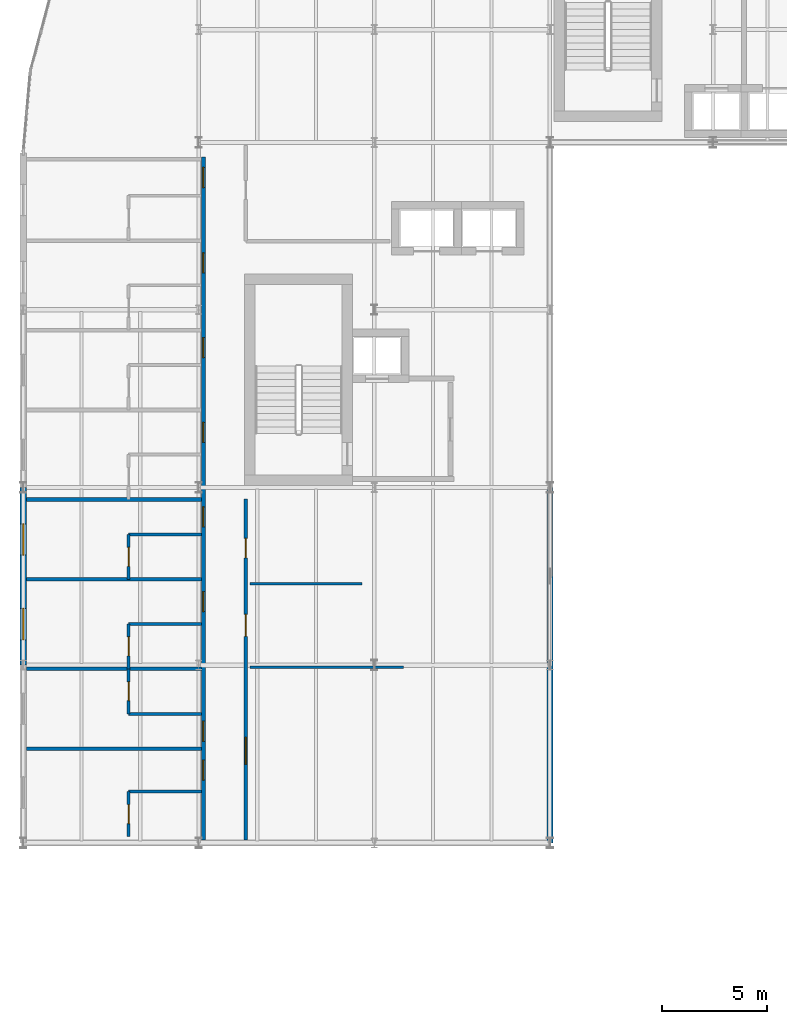
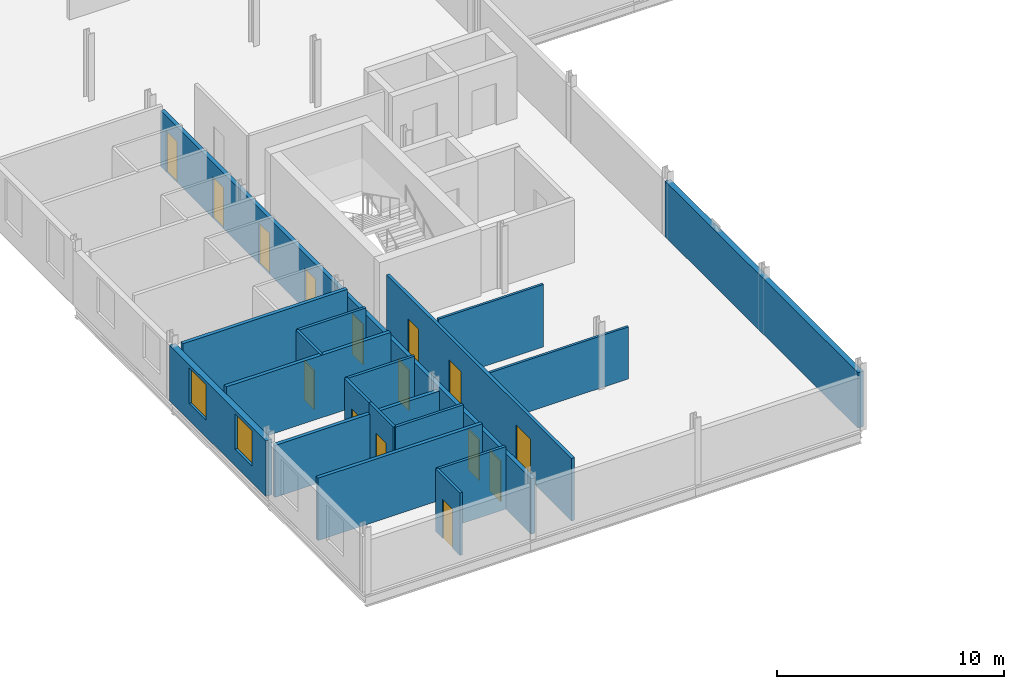
# One storey, part 18 of 34: 18 walls, 15 doors, 2 windows, 17 openings.
"""IFC4 building model written with IfcOpenShell, lengths in metres."""

from ifc_helpers import new_model, si_unit, direction, frame, frame_2d, origin, place, context, subcontext, project, spatial, rectangle, extrude, material, layer, layer_set, type_object, element, fill, save


model = new_model("IFC4")

# Units and contexts
model_context = context("Model", 3, precision=1e-05, world=origin(), true_north=direction((0.0, 1.0)))
body_context = subcontext(model_context, "Body", "Model", "MODEL_VIEW")
ifc_project = project(units=[si_unit("LENGTHUNIT", "METRE"), si_unit("AREAUNIT", "SQUARE_METRE"), si_unit("VOLUMEUNIT", "CUBIC_METRE"), si_unit("PLANEANGLEUNIT", "RADIAN"), si_unit("MASSUNIT", "GRAM", prefix="KILO")], contexts=[model_context])

# Site, building, storey
site_placement = place(None, origin())
site = spatial("IfcSite", under=ifc_project, at=site_placement, CompositionType="ELEMENT")
building_placement = place(site_placement, origin())
building = spatial("IfcBuilding", under=site, at=building_placement, Name="Sefraquen Railside Congress Hotel", CompositionType="ELEMENT")
storey_placement = place(building_placement, frame((0.0, 0.0, 31.800048828125)))
storey = spatial("IfcBuildingStorey", under=building, at=storey_placement, Name="L07", CompositionType="ELEMENT", Elevation=31.800048828125)

# Wall
ifc_material_1 = material(Name="Ochre Rabat calcarenite limestone and Concrete C40/50 backing", Category="masonry")
ifc_layer_1 = layer(ifc_material_1, 0.280029296875)
ifc_layer_set_1 = layer_set([ifc_layer_1], Name="Ochre Rabat calcarenite limestone and Concrete C40/50 backing")
wall_type_1 = type_object("IfcWallType", Name="TW-EW-280", PredefinedType="STANDARD", material=ifc_layer_set_1)
wall_1_placement = place(storey_placement, frame((25.199951171875, 62.5, 0.0), z_axis=(0.0, 0.0, 1.0), x_axis=(0.0, 1.0, 0.0)))
element("IfcWall", 1, at=wall_1_placement, inside=storey, type_object=wall_type_1, Name="Hotel L07 courtyard return wall", PredefinedType="STANDARD", context=body_context, shape_type="SweptSolid", body=[
    extrude(rectangle(XDim=17.0, YDim=0.280029296875, at=frame_2d((8.5, 0.0))), origin(), (0.0, 0.0, 1.0), 2.989990234375),
])

# Wall, openings, windows
ifc_layer_2 = layer(ifc_material_1, 0.300048828125)
ifc_layer_set_2 = layer_set([ifc_layer_2], Name="Ochre Rabat calcarenite limestone and Concrete C40/50 backing")
wall_type_2 = type_object("IfcWallType", Name="TW-EW-300", PredefinedType="STANDARD", material=ifc_layer_set_2)
wall_2_placement = place(storey_placement, frame((0.0, 71.0, 0.0), z_axis=(0.0, 0.0, 1.0), x_axis=(0.0, 1.0, 0.0)))
wall_2 = element("IfcWall", 2, at=wall_2_placement, inside=storey, type_object=wall_type_2, Name="Hotel L07 West Forecourt facade wall", PredefinedType="STANDARD", context=body_context, shape_type="SweptSolid", body=[
    extrude(rectangle(XDim=8.5, YDim=0.300048828125, at=frame_2d((4.25, 0.0))), origin(), (0.0, 0.0, 1.0), 2.989990234375),
])
opening_1_placement = place(wall_2_placement, frame((1.212890625, 0.0, 0.89990234375)))
opening_1 = element("IfcOpeningElement", 3, at=opening_1_placement, cuts=wall_2, Name="Opening WN-13", PredefinedType="OPENING", context=body_context, shape_type="SweptSolid", body=[
    extrude(rectangle(XDim=1.5, YDim=1.909912109375, at=frame_2d((0.75, 0.955078125))), frame((0.0, 0.159912109375, 0.0), z_axis=(0.0, -1.0, 0.0), x_axis=(1.0, 0.0, 0.0)), (0.0, 0.0, 1.0), 0.320068359375),
])
opening_2_placement = place(wall_2_placement, frame((5.262939453125, 0.0, 0.89990234375)))
opening_2 = element("IfcOpeningElement", 4, at=opening_2_placement, cuts=wall_2, Name="Opening WN-14", PredefinedType="OPENING", context=body_context, shape_type="SweptSolid", body=[
    extrude(rectangle(XDim=1.5, YDim=1.909912109375, at=frame_2d((0.75, 0.955078125))), frame((0.0, 0.159912109375, 0.0), z_axis=(0.0, -1.0, 0.0), x_axis=(1.0, 0.0, 0.0)), (0.0, 0.0, 1.0), 0.320068359375),
])
ifc_material_2 = material(Name="Solar-control low-E double glazing in bronze-anodised frame", Category="glass")
window_type_1 = type_object("IfcWindowType", Name="TWN-W-13", PartitioningType="DOUBLE_PANEL_VERTICAL", PredefinedType="WINDOW", material=ifc_material_2)
window_1_placement = place(opening_1_placement, origin())
window_1 = element("IfcWindow", 5, at=window_1_placement, inside=storey, type_object=window_type_1, Name="Guest room west window SP-L07-RM-039", OverallHeight=1.909912109375, OverallWidth=1.5, PartitioningType="DOUBLE_PANEL_VERTICAL", PredefinedType="WINDOW", context=body_context, shape_type="SweptSolid", body=[
    extrude(rectangle(XDim=1.5, YDim=1.909912109375, at=frame_2d((0.75, 0.955078125))), frame((0.0, 0.030029296875, 0.0), z_axis=(0.0, -1.0, 0.0), x_axis=(1.0, 0.0, 0.0)), (0.0, 0.0, 1.0), 0.06005859375),
])
fill(opening_1, window_1)
window_type_2 = type_object("IfcWindowType", Name="TWN-W-14", PartitioningType="DOUBLE_PANEL_VERTICAL", PredefinedType="WINDOW", material=ifc_material_2)
window_2_placement = place(opening_2_placement, origin())
window_2 = element("IfcWindow", 6, at=window_2_placement, inside=storey, type_object=window_type_2, Name="Guest room west window SP-L07-RM-040", OverallHeight=1.909912109375, OverallWidth=1.5, PartitioningType="DOUBLE_PANEL_VERTICAL", PredefinedType="WINDOW", context=body_context, shape_type="SweptSolid", body=[
    extrude(rectangle(XDim=1.5, YDim=1.909912109375, at=frame_2d((0.75, 0.955078125))), frame((0.0, 0.030029296875, 0.0), z_axis=(0.0, -1.0, 0.0), x_axis=(1.0, 0.0, 0.0)), (0.0, 0.0, 1.0), 0.06005859375),
])
fill(opening_2, window_2)

# Walls
ifc_material_3 = material(Name="Gypsum board on metal stud", Category="gypsum")
ifc_layer_3 = layer(ifc_material_3, 0.1201171875)
ifc_layer_set_3 = layer_set([ifc_layer_3], Name="Gypsum board on metal stud")
wall_type_3 = type_object("IfcWallType", Name="TW-PW-120", PredefinedType="PARTITIONING", material=ifc_layer_set_3)
wall_3_placement = place(storey_placement, frame((10.85009765625, 70.89990234375, 0.0), z_axis=(0.0, 0.0, 1.0), x_axis=(1.0, 0.0, 0.0)))
element("IfcWall", 7, at=wall_3_placement, inside=storey, type_object=wall_type_3, Name="Lounge-pantry divider L07", PredefinedType="PARTITIONING", context=body_context, shape_type="SweptSolid", body=[
    extrude(rectangle(XDim=7.349853515625, YDim=0.1201171875, at=frame_2d((3.6748046875, 0.0))), origin(), (0.0, 0.0, 1.0), 2.800048828125),
])
wall_4_placement = place(storey_placement, frame((10.85009765625, 74.89990234375, 0.0), z_axis=(0.0, 0.0, 1.0), x_axis=(1.0, 0.0, 0.0)))
element("IfcWall", 8, at=wall_4_placement, inside=storey, type_object=wall_type_3, Name="Pantry-WC divider L07", PredefinedType="PARTITIONING", context=body_context, shape_type="SweptSolid", body=[
    extrude(rectangle(XDim=5.349853515625, YDim=0.1201171875, at=frame_2d((2.6748046875, 0.0))), origin(), (0.0, 0.0, 1.0), 3.35986328125),
])
ifc_material_4 = material(Name="Moisture-resistant gypsum board", Category="gypsum")
ifc_layer_4 = layer(ifc_material_4, 0.139892578125)
ifc_layer_set_4 = layer_set([ifc_layer_4], Name="Moisture-resistant gypsum board")
wall_type_4 = type_object("IfcWallType", Name="TW-PW-140", PredefinedType="PARTITIONING", material=ifc_layer_set_4)
wall_5_placement = place(storey_placement, frame((5.050048828125, 64.949951171875, 0.0), z_axis=(0.0, 0.0, 1.0), x_axis=(1.0, 0.0, 0.0)))
element("IfcWall", 9, at=wall_5_placement, inside=storey, type_object=wall_type_4, Name="West en-suite bathroom north wall RM-037", PredefinedType="PARTITIONING", context=body_context, shape_type="SweptSolid", body=[
    extrude(rectangle(XDim=3.469970703125, YDim=0.139892578125, at=frame_2d((1.73486328125, 0.0))), origin(), (0.0, 0.0, 1.0), 3.35986328125),
])

# Wall, opening, door
wall_6_placement = place(storey_placement, frame((5.050048828125, 62.800048828125, 0.0), z_axis=(0.0, 0.0, 1.0), x_axis=(0.0, 1.0, 0.0)))
wall_6 = element("IfcWall", 10, at=wall_6_placement, inside=storey, type_object=wall_type_4, Name="West en-suite bathroom west wall RM-037", PredefinedType="PARTITIONING", context=body_context, shape_type="SweptSolid", body=[
    extrude(rectangle(XDim=2.14990234375, YDim=0.139892578125, at=frame_2d((1.074951171875, 0.0))), origin(), (0.0, 0.0, 1.0), 3.35986328125),
])
opening_3_placement = place(wall_6_placement, frame((0.625, 0.0, 0.0)))
opening_3 = element("IfcOpeningElement", 11, at=opening_3_placement, cuts=wall_6, Name="Opening ID-02", PredefinedType="OPENING", context=body_context, shape_type="SweptSolid", body=[
    extrude(rectangle(XDim=0.89990234375, YDim=2.10009765625, at=frame_2d((0.449951171875, 1.050048828125))), frame((0.0, 0.079833984375, 0.0), z_axis=(0.0, -1.0, 0.0), x_axis=(1.0, 0.0, 0.0)), (0.0, 0.0, 1.0), 0.159912109375),
])
ifc_material_5 = material(Name="Lacquered cedar joinery", Category="wood")
door_type_1 = type_object("IfcDoorType", Name="TD-ID-02", OperationType="NOTDEFINED", PredefinedType="DOOR", material=ifc_material_5)
door_1_placement = place(opening_3_placement, frame((0.89990234375, 0.0, 0.0), z_axis=(0.0, 0.0, 1.0), x_axis=(-1.0, 0.0, 0.0)))
door_1 = element("IfcDoor", 12, at=door_1_placement, inside=storey, type_object=door_type_1, Name="En-suite bathroom door RM-037", OperationType="SINGLE_SWING_LEFT", OverallHeight=2.10009765625, OverallWidth=0.89990234375, PredefinedType="DOOR", context=body_context, shape_type="SweptSolid", body=[
    extrude(rectangle(XDim=0.89990234375, YDim=2.10009765625, at=frame_2d((0.449951171875, 1.050048828125))), frame((0.0, 0.02490234375, 0.0), z_axis=(0.0, -1.0, 0.0), x_axis=(1.0, 0.0, 0.0)), (0.0, 0.0, 1.0), 0.050048828125),
])
fill(opening_3, door_1)

# Wall
wall_7_placement = place(storey_placement, frame((5.050048828125, 68.673095703125, 0.0), z_axis=(0.0, 0.0, 1.0), x_axis=(1.0, 0.0, 0.0)))
element("IfcWall", 13, at=wall_7_placement, inside=storey, type_object=wall_type_4, Name="West en-suite bathroom south wall RM-038", PredefinedType="PARTITIONING", context=body_context, shape_type="SweptSolid", body=[
    extrude(rectangle(XDim=3.469970703125, YDim=0.139892578125, at=frame_2d((1.73486328125, 0.0))), origin(), (0.0, 0.0, 1.0), 3.35986328125),
])

# Wall, opening, door
wall_8_placement = place(storey_placement, frame((5.050048828125, 68.673095703125, 0.0), z_axis=(0.0, 0.0, 1.0), x_axis=(0.0, 1.0, 0.0)))
wall_8 = element("IfcWall", 14, at=wall_8_placement, inside=storey, type_object=wall_type_4, Name="West en-suite bathroom west wall RM-038", PredefinedType="PARTITIONING", context=body_context, shape_type="SweptSolid", body=[
    extrude(rectangle(XDim=2.14990234375, YDim=0.139892578125, at=frame_2d((1.074951171875, 0.0))), origin(), (0.0, 0.0, 1.0), 3.35986328125),
])
opening_4_placement = place(wall_8_placement, frame((0.625, 0.0, 0.0)))
opening_4 = element("IfcOpeningElement", 15, at=opening_4_placement, cuts=wall_8, Name="Opening ID-02", PredefinedType="OPENING", context=body_context, shape_type="SweptSolid", body=[
    extrude(rectangle(XDim=0.89990234375, YDim=2.10009765625, at=frame_2d((0.449951171875, 1.050048828125))), frame((0.0, 0.079833984375, 0.0), z_axis=(0.0, -1.0, 0.0), x_axis=(1.0, 0.0, 0.0)), (0.0, 0.0, 1.0), 0.159912109375),
])
door_2_placement = place(opening_4_placement, frame((0.89990234375, 0.0, 0.0), z_axis=(0.0, 0.0, 1.0), x_axis=(-1.0, 0.0, 0.0)))
door_2 = element("IfcDoor", 16, at=door_2_placement, inside=storey, type_object=door_type_1, Name="En-suite bathroom door RM-038", OperationType="SINGLE_SWING_LEFT", OverallHeight=2.10009765625, OverallWidth=0.89990234375, PredefinedType="DOOR", context=body_context, shape_type="SweptSolid", body=[
    extrude(rectangle(XDim=0.89990234375, YDim=2.10009765625, at=frame_2d((0.449951171875, 1.050048828125))), frame((0.0, 0.02490234375, 0.0), z_axis=(0.0, -1.0, 0.0), x_axis=(1.0, 0.0, 0.0)), (0.0, 0.0, 1.0), 0.050048828125),
])
fill(opening_4, door_2)

# Wall
wall_9_placement = place(storey_placement, frame((5.050048828125, 72.972900390625, 0.0), z_axis=(0.0, 0.0, 1.0), x_axis=(1.0, 0.0, 0.0)))
element("IfcWall", 17, at=wall_9_placement, inside=storey, type_object=wall_type_4, Name="West en-suite bathroom north wall RM-039", PredefinedType="PARTITIONING", context=body_context, shape_type="SweptSolid", body=[
    extrude(rectangle(XDim=3.469970703125, YDim=0.139892578125, at=frame_2d((1.73486328125, 0.0))), origin(), (0.0, 0.0, 1.0), 3.35986328125),
])

# Wall, opening, door
wall_10_placement = place(storey_placement, frame((5.050048828125, 70.822998046875, 0.0), z_axis=(0.0, 0.0, 1.0), x_axis=(0.0, 1.0, 0.0)))
wall_10 = element("IfcWall", 18, at=wall_10_placement, inside=storey, type_object=wall_type_4, Name="West en-suite bathroom west wall RM-039", PredefinedType="PARTITIONING", context=body_context, shape_type="SweptSolid", body=[
    extrude(rectangle(XDim=2.14990234375, YDim=0.139892578125, at=frame_2d((1.074951171875, 0.0))), origin(), (0.0, 0.0, 1.0), 3.35986328125),
])
opening_5_placement = place(wall_10_placement, frame((0.625, 0.0, 0.0)))
opening_5 = element("IfcOpeningElement", 19, at=opening_5_placement, cuts=wall_10, Name="Opening ID-02", PredefinedType="OPENING", context=body_context, shape_type="SweptSolid", body=[
    extrude(rectangle(XDim=0.89990234375, YDim=2.10009765625, at=frame_2d((0.449951171875, 1.050048828125))), frame((0.0, 0.079833984375, 0.0), z_axis=(0.0, -1.0, 0.0), x_axis=(1.0, 0.0, 0.0)), (0.0, 0.0, 1.0), 0.159912109375),
])
door_3_placement = place(opening_5_placement, frame((0.89990234375, 0.0, 0.0), z_axis=(0.0, 0.0, 1.0), x_axis=(-1.0, 0.0, 0.0)))
door_3 = element("IfcDoor", 20, at=door_3_placement, inside=storey, type_object=door_type_1, Name="En-suite bathroom door RM-039", OperationType="SINGLE_SWING_LEFT", OverallHeight=2.10009765625, OverallWidth=0.89990234375, PredefinedType="DOOR", context=body_context, shape_type="SweptSolid", body=[
    extrude(rectangle(XDim=0.89990234375, YDim=2.10009765625, at=frame_2d((0.449951171875, 1.050048828125))), frame((0.0, 0.02490234375, 0.0), z_axis=(0.0, -1.0, 0.0), x_axis=(1.0, 0.0, 0.0)), (0.0, 0.0, 1.0), 0.050048828125),
])
fill(opening_5, door_3)

# Wall
wall_11_placement = place(storey_placement, frame((5.050048828125, 77.25390625, 0.0), z_axis=(0.0, 0.0, 1.0), x_axis=(1.0, 0.0, 0.0)))
element("IfcWall", 21, at=wall_11_placement, inside=storey, type_object=wall_type_4, Name="West en-suite bathroom north wall RM-040", PredefinedType="PARTITIONING", context=body_context, shape_type="SweptSolid", body=[
    extrude(rectangle(XDim=3.469970703125, YDim=0.139892578125, at=frame_2d((1.73486328125, 0.0))), origin(), (0.0, 0.0, 1.0), 3.35986328125),
])

# Wall, opening, door
wall_12_placement = place(storey_placement, frame((5.050048828125, 75.10400390625, 0.0), z_axis=(0.0, 0.0, 1.0), x_axis=(0.0, 1.0, 0.0)))
wall_12 = element("IfcWall", 22, at=wall_12_placement, inside=storey, type_object=wall_type_4, Name="West en-suite bathroom west wall RM-040", PredefinedType="PARTITIONING", context=body_context, shape_type="SweptSolid", body=[
    extrude(rectangle(XDim=2.14990234375, YDim=0.139892578125, at=frame_2d((1.074951171875, 0.0))), origin(), (0.0, 0.0, 1.0), 3.35986328125),
])
opening_6_placement = place(wall_12_placement, frame((0.625, 0.0, 0.0)))
opening_6 = element("IfcOpeningElement", 23, at=opening_6_placement, cuts=wall_12, Name="Opening ID-02", PredefinedType="OPENING", context=body_context, shape_type="SweptSolid", body=[
    extrude(rectangle(XDim=0.89990234375, YDim=2.10009765625, at=frame_2d((0.449951171875, 1.050048828125))), frame((0.0, 0.079833984375, 0.0), z_axis=(0.0, -1.0, 0.0), x_axis=(1.0, 0.0, 0.0)), (0.0, 0.0, 1.0), 0.159912109375),
])
door_4_placement = place(opening_6_placement, frame((0.89990234375, 0.0, 0.0), z_axis=(0.0, 0.0, 1.0), x_axis=(-1.0, 0.0, 0.0)))
door_4 = element("IfcDoor", 24, at=door_4_placement, inside=storey, type_object=door_type_1, Name="En-suite bathroom door RM-040", OperationType="SINGLE_SWING_LEFT", OverallHeight=2.10009765625, OverallWidth=0.89990234375, PredefinedType="DOOR", context=body_context, shape_type="SweptSolid", body=[
    extrude(rectangle(XDim=0.89990234375, YDim=2.10009765625, at=frame_2d((0.449951171875, 1.050048828125))), frame((0.0, 0.02490234375, 0.0), z_axis=(0.0, -1.0, 0.0), x_axis=(1.0, 0.0, 0.0)), (0.0, 0.0, 1.0), 0.050048828125),
])
fill(opening_6, door_4)

# Wall, openings, doors
ifc_layer_5 = layer(ifc_material_4, 0.159912109375)
ifc_layer_set_5 = layer_set([ifc_layer_5], Name="Moisture-resistant gypsum board")
wall_type_5 = type_object("IfcWallType", Name="TW-PW-160", PredefinedType="PARTITIONING", material=ifc_layer_set_5)
wall_13_placement = place(storey_placement, frame((10.64990234375, 62.639892578125, 0.0), z_axis=(0.0, 0.0, 1.0), x_axis=(0.0, 1.0, 0.0)))
wall_13 = element("IfcWall", 25, at=wall_13_placement, inside=storey, type_object=wall_type_5, Name="Hotel L07 west-return corridor E1 partition", PredefinedType="PARTITIONING", context=body_context, shape_type="SweptSolid", body=[
    extrude(rectangle(XDim=16.31005859375, YDim=0.159912109375, at=frame_2d((8.155029296875, 0.0))), origin(), (0.0, 0.0, 1.0), 3.35986328125),
])
opening_7_placement = place(wall_13_placement, frame((3.610107421875, 0.0, 0.0)))
opening_7 = element("IfcOpeningElement", 26, at=opening_7_placement, cuts=wall_13, Name="Opening MD-02", PredefinedType="OPENING", context=body_context, shape_type="SweptSolid", body=[
    extrude(rectangle(XDim=1.300048828125, YDim=2.199951171875, at=frame_2d((0.64990234375, 1.10009765625))), frame((0.0, 0.08984375, 0.0), z_axis=(0.0, -1.0, 0.0), x_axis=(1.0, 0.0, 0.0)), (0.0, 0.0, 1.0), 0.179931640625),
])
opening_8_placement = place(wall_13_placement, frame((9.735107421875, 0.0, 0.0)))
opening_8 = element("IfcOpeningElement", 27, at=opening_8_placement, cuts=wall_13, Name="Opening ID-04", PredefinedType="OPENING", context=body_context, shape_type="SweptSolid", body=[
    extrude(rectangle(XDim=1.050048828125, YDim=2.1201171875, at=frame_2d((0.52490234375, 1.06005859375))), frame((0.0, 0.08984375, 0.0), z_axis=(0.0, -1.0, 0.0), x_axis=(1.0, 0.0, 0.0)), (0.0, 0.0, 1.0), 0.179931640625),
])
opening_9_placement = place(wall_13_placement, frame((13.489990234375, 0.0, 0.0)))
opening_9 = element("IfcOpeningElement", 28, at=opening_9_placement, cuts=wall_13, Name="Opening ID-01", PredefinedType="OPENING", context=body_context, shape_type="SweptSolid", body=[
    extrude(rectangle(XDim=0.93994140625, YDim=2.14990234375, at=frame_2d((0.469970703125, 1.074951171875))), frame((0.0, 0.08984375, 0.0), z_axis=(0.0, -1.0, 0.0), x_axis=(1.0, 0.0, 0.0)), (0.0, 0.0, 1.0), 0.179931640625),
])
door_type_2 = type_object("IfcDoorType", Name="TD-ID-01", OperationType="NOTDEFINED", PredefinedType="DOOR", material=ifc_material_5)
door_5_placement = place(opening_9_placement, origin())
door_5 = element("IfcDoor", 29, at=door_5_placement, inside=storey, type_object=door_type_2, Name="Hotel floor Accessible WC door L07", OperationType="SINGLE_SWING_LEFT", OverallHeight=2.14990234375, OverallWidth=0.93994140625, PredefinedType="DOOR", context=body_context, shape_type="SweptSolid", body=[
    extrude(rectangle(XDim=0.93994140625, YDim=2.14990234375, at=frame_2d((0.469970703125, 1.074951171875))), frame((0.0, 0.02490234375, 0.0), z_axis=(0.0, -1.0, 0.0), x_axis=(1.0, 0.0, 0.0)), (0.0, 0.0, 1.0), 0.050048828125),
])
fill(opening_9, door_5)
ifc_material_6 = material(Name="Painted timber", Category="wood")
door_type_3 = type_object("IfcDoorType", Name="TD-ID-04", OperationType="NOTDEFINED", PredefinedType="DOOR", material=ifc_material_6)
door_6_placement = place(opening_8_placement, origin())
door_6 = element("IfcDoor", 30, at=door_6_placement, inside=storey, type_object=door_type_3, Name="Housekeeping pantry door L07", OperationType="SINGLE_SWING_RIGHT", OverallHeight=2.1201171875, OverallWidth=1.050048828125, PredefinedType="DOOR", context=body_context, shape_type="SweptSolid", body=[
    extrude(rectangle(XDim=1.050048828125, YDim=2.1201171875, at=frame_2d((0.52490234375, 1.06005859375))), frame((0.0, 0.02490234375, 0.0), z_axis=(0.0, -1.0, 0.0), x_axis=(1.0, 0.0, 0.0)), (0.0, 0.0, 1.0), 0.050048828125),
])
fill(opening_8, door_6)
ifc_material_7 = material(Name="Acoustic cedar veneer", Category="wood")
door_type_4 = type_object("IfcDoorType", Name="TD-MD-02", OperationType="NOTDEFINED", PredefinedType="DOOR", material=ifc_material_7)
door_7_placement = place(opening_7_placement, origin())
door_7 = element("IfcDoor", 31, at=door_7_placement, inside=storey, type_object=door_type_4, Name="Floor hospitality salon door L07", OperationType="SINGLE_SWING_LEFT", OverallHeight=2.199951171875, OverallWidth=1.300048828125, PredefinedType="DOOR", context=body_context, shape_type="SweptSolid", body=[
    extrude(rectangle(XDim=1.300048828125, YDim=2.199951171875, at=frame_2d((0.64990234375, 1.10009765625))), frame((0.0, 0.02490234375, 0.0), z_axis=(0.0, -1.0, 0.0), x_axis=(1.0, 0.0, 0.0)), (0.0, 0.0, 1.0), 0.050048828125),
])
fill(opening_7, door_7)

# Walls
ifc_material_8 = material(Name="Acoustic gypsum board on metal stud", Category="gypsum")
ifc_layer_6 = layer(ifc_material_8, 0.179931640625)
ifc_layer_set_6 = layer_set([ifc_layer_6], Name="Acoustic gypsum board on metal stud")
wall_type_6 = type_object("IfcWallType", Name="TW-PW-180", PredefinedType="PARTITIONING", material=ifc_layer_set_6)
wall_14_placement = place(storey_placement, frame((0.14990234375, 67.00390625, 0.0), z_axis=(0.0, 0.0, 1.0), x_axis=(1.0, 0.0, 0.0)))
element("IfcWall", 32, at=wall_14_placement, inside=storey, type_object=wall_type_6, Name="West return guest room demising wall RM-037", PredefinedType="PARTITIONING", context=body_context, shape_type="SweptSolid", body=[
    extrude(rectangle(XDim=8.3701171875, YDim=0.179931640625, at=frame_2d((4.18505859375, 0.0))), origin(), (0.0, 0.0, 1.0), 3.35986328125),
])
wall_15_placement = place(storey_placement, frame((0.14990234375, 70.822998046875, 0.0), z_axis=(0.0, 0.0, 1.0), x_axis=(1.0, 0.0, 0.0)))
element("IfcWall", 33, at=wall_15_placement, inside=storey, type_object=wall_type_6, Name="West return guest room demising wall RM-038", PredefinedType="PARTITIONING", context=body_context, shape_type="SweptSolid", body=[
    extrude(rectangle(XDim=8.3701171875, YDim=0.179931640625, at=frame_2d((4.18505859375, 0.0))), origin(), (0.0, 0.0, 1.0), 2.800048828125),
])
for number, where, z_axis, x_axis, name in (
    (34, (0.14990234375, 75.10400390625, 0.0), (0.0, 0.0, 1.0), (1.0, 0.0, 0.0), "West return guest room demising wall RM-039"),
    (35, (0.14990234375, 78.923095703125, 0.0), (0.0, 0.0, 1.0), (1.0, 0.0, 0.0), "West return guest room demising wall RM-040"),
):
    element("IfcWall", number, at=place(storey_placement, frame(where, z_axis=z_axis, x_axis=x_axis)), inside=storey, type_object=wall_type_6, Name=name, PredefinedType="PARTITIONING", context=body_context, shape_type="SweptSolid", body=[
        extrude(rectangle(XDim=8.3701171875, YDim=0.179931640625, at=frame_2d((4.18505859375, 0.0))), origin(), (0.0, 0.0, 1.0), 3.35986328125),
    ])

# Wall, openings, doors
ifc_layer_7 = layer(ifc_material_8, 0.199951171875)
ifc_layer_set_7 = layer_set([ifc_layer_7], Name="Acoustic gypsum board on metal stud")
wall_type_7 = type_object("IfcWallType", Name="TW-PW-200", PredefinedType="PARTITIONING", material=ifc_layer_set_7)
wall_16_placement = place(storey_placement, frame((8.6201171875, 62.639892578125, 0.0), z_axis=(0.0, 0.0, 1.0), x_axis=(0.0, 1.0, 0.0)))
wall_16 = element("IfcWall", 36, at=wall_16_placement, inside=storey, type_object=wall_type_7, Name="Hotel L07 west-return corridor W partition", PredefinedType="PARTITIONING", context=body_context, shape_type="SweptSolid", body=[
    extrude(rectangle(XDim=32.66015625, YDim=0.199951171875, at=frame_2d((16.330078125, 0.0))), origin(), (0.0, 0.0, 1.0), 2.989990234375),
])
opening_10_placement = place(wall_16_placement, frame((2.85693359375, 0.0, 0.0)))
opening_10 = element("IfcOpeningElement", 37, at=opening_10_placement, cuts=wall_16, Name="Opening GD-02", PredefinedType="OPENING", context=body_context, shape_type="SweptSolid", body=[
    extrude(rectangle(XDim=0.9599609375, YDim=2.199951171875, at=frame_2d((0.47998046875, 1.10009765625))), frame((0.0, 0.10986328125, 0.0), z_axis=(0.0, -1.0, 0.0), x_axis=(1.0, 0.0, 0.0)), (0.0, 0.0, 1.0), 0.219970703125),
])
opening_11_placement = place(wall_16_placement, frame((4.718994140625, 0.0, 0.0)))
opening_11 = element("IfcOpeningElement", 38, at=opening_11_placement, cuts=wall_16, Name="Opening GD-02", PredefinedType="OPENING", context=body_context, shape_type="SweptSolid", body=[
    extrude(rectangle(XDim=0.9599609375, YDim=2.199951171875, at=frame_2d((0.47998046875, 1.10009765625))), frame((0.0, 0.10986328125, 0.0), z_axis=(0.0, -1.0, 0.0), x_axis=(1.0, 0.0, 0.0)), (0.0, 0.0, 1.0), 0.219970703125),
])
opening_12_placement = place(wall_16_placement, frame((10.91796875, 0.0, 0.0)))
opening_12 = element("IfcOpeningElement", 39, at=opening_12_placement, cuts=wall_16, Name="Opening GD-02", PredefinedType="OPENING", context=body_context, shape_type="SweptSolid", body=[
    extrude(rectangle(XDim=0.9599609375, YDim=2.199951171875, at=frame_2d((0.47998046875, 1.10009765625))), frame((0.0, 0.10986328125, 0.0), z_axis=(0.0, -1.0, 0.0), x_axis=(1.0, 0.0, 0.0)), (0.0, 0.0, 1.0), 0.219970703125),
])
opening_13_placement = place(wall_16_placement, frame((14.968994140625, 0.0, 0.0)))
opening_13 = element("IfcOpeningElement", 40, at=opening_13_placement, cuts=wall_16, Name="Opening GD-02", PredefinedType="OPENING", context=body_context, shape_type="SweptSolid", body=[
    extrude(rectangle(XDim=0.9599609375, YDim=2.199951171875, at=frame_2d((0.47998046875, 1.10009765625))), frame((0.0, 0.10986328125, 0.0), z_axis=(0.0, -1.0, 0.0), x_axis=(1.0, 0.0, 0.0)), (0.0, 0.0, 1.0), 0.219970703125),
])
opening_14_placement = place(wall_16_placement, frame((19.01806640625, 0.0, 0.0)))
opening_14 = element("IfcOpeningElement", 41, at=opening_14_placement, cuts=wall_16, Name="Opening GD-02", PredefinedType="OPENING", context=body_context, shape_type="SweptSolid", body=[
    extrude(rectangle(XDim=0.9599609375, YDim=2.199951171875, at=frame_2d((0.47998046875, 1.10009765625))), frame((0.0, 0.10986328125, 0.0), z_axis=(0.0, -1.0, 0.0), x_axis=(1.0, 0.0, 0.0)), (0.0, 0.0, 1.0), 0.219970703125),
])
opening_15_placement = place(wall_16_placement, frame((23.068115234375, 0.0, 0.0)))
opening_15 = element("IfcOpeningElement", 42, at=opening_15_placement, cuts=wall_16, Name="Opening GD-02", PredefinedType="OPENING", context=body_context, shape_type="SweptSolid", body=[
    extrude(rectangle(XDim=0.9599609375, YDim=2.199951171875, at=frame_2d((0.47998046875, 1.10009765625))), frame((0.0, 0.10986328125, 0.0), z_axis=(0.0, -1.0, 0.0), x_axis=(1.0, 0.0, 0.0)), (0.0, 0.0, 1.0), 0.219970703125),
])
opening_16_placement = place(wall_16_placement, frame((27.118896484375, 0.0, 0.0)))
opening_16 = element("IfcOpeningElement", 43, at=opening_16_placement, cuts=wall_16, Name="Opening GD-02", PredefinedType="OPENING", context=body_context, shape_type="SweptSolid", body=[
    extrude(rectangle(XDim=0.9599609375, YDim=2.199951171875, at=frame_2d((0.47998046875, 1.10009765625))), frame((0.0, 0.10986328125, 0.0), z_axis=(0.0, -1.0, 0.0), x_axis=(1.0, 0.0, 0.0)), (0.0, 0.0, 1.0), 0.219970703125),
])
opening_17_placement = place(wall_16_placement, frame((31.20703125, 0.0, 0.0)))
opening_17 = element("IfcOpeningElement", 44, at=opening_17_placement, cuts=wall_16, Name="Opening GD-02", PredefinedType="OPENING", context=body_context, shape_type="SweptSolid", body=[
    extrude(rectangle(XDim=0.9599609375, YDim=2.199951171875, at=frame_2d((0.47998046875, 1.10009765625))), frame((0.0, 0.10986328125, 0.0), z_axis=(0.0, -1.0, 0.0), x_axis=(1.0, 0.0, 0.0)), (0.0, 0.0, 1.0), 0.219970703125),
])
ifc_material_9 = material(Name="Solid Atlas cedar timber fire leaf", Category="wood")
door_type_5 = type_object("IfcDoorType", Name="TD-GD-02", OperationType="NOTDEFINED", PredefinedType="DOOR", material=ifc_material_9)
door_8_placement = place(opening_10_placement, frame((0.9599609375, 0.0, 0.0), z_axis=(0.0, 0.0, 1.0), x_axis=(-1.0, 0.0, 0.0)))
door_8 = element("IfcDoor", 45, at=door_8_placement, inside=storey, type_object=door_type_5, Name="Guest room entrance fire door RM-037", OperationType="SINGLE_SWING_RIGHT", OverallHeight=2.199951171875, OverallWidth=0.9599609375, PredefinedType="DOOR", context=body_context, shape_type="SweptSolid", body=[
    extrude(rectangle(XDim=0.9599609375, YDim=2.199951171875, at=frame_2d((0.47998046875, 1.10009765625))), frame((0.0, 0.02490234375, 0.0), z_axis=(0.0, -1.0, 0.0), x_axis=(1.0, 0.0, 0.0)), (0.0, 0.0, 1.0), 0.050048828125),
])
fill(opening_10, door_8)
door_9_placement = place(opening_11_placement, frame((0.9599609375, 0.0, 0.0), z_axis=(0.0, 0.0, 1.0), x_axis=(-1.0, 0.0, 0.0)))
door_9 = element("IfcDoor", 46, at=door_9_placement, inside=storey, type_object=door_type_5, Name="Guest room entrance fire door RM-038", OperationType="SINGLE_SWING_RIGHT", OverallHeight=2.199951171875, OverallWidth=0.9599609375, PredefinedType="DOOR", context=body_context, shape_type="SweptSolid", body=[
    extrude(rectangle(XDim=0.9599609375, YDim=2.199951171875, at=frame_2d((0.47998046875, 1.10009765625))), frame((0.0, 0.02490234375, 0.0), z_axis=(0.0, -1.0, 0.0), x_axis=(1.0, 0.0, 0.0)), (0.0, 0.0, 1.0), 0.050048828125),
])
fill(opening_11, door_9)
door_10_placement = place(opening_12_placement, frame((0.9599609375, 0.0, 0.0), z_axis=(0.0, 0.0, 1.0), x_axis=(-1.0, 0.0, 0.0)))
door_10 = element("IfcDoor", 47, at=door_10_placement, inside=storey, type_object=door_type_5, Name="Guest room entrance fire door RM-039", OperationType="SINGLE_SWING_RIGHT", OverallHeight=2.199951171875, OverallWidth=0.9599609375, PredefinedType="DOOR", context=body_context, shape_type="SweptSolid", body=[
    extrude(rectangle(XDim=0.9599609375, YDim=2.199951171875, at=frame_2d((0.47998046875, 1.10009765625))), frame((0.0, 0.02490234375, 0.0), z_axis=(0.0, -1.0, 0.0), x_axis=(1.0, 0.0, 0.0)), (0.0, 0.0, 1.0), 0.050048828125),
])
fill(opening_12, door_10)
door_11_placement = place(opening_13_placement, frame((0.9599609375, 0.0, 0.0), z_axis=(0.0, 0.0, 1.0), x_axis=(-1.0, 0.0, 0.0)))
door_11 = element("IfcDoor", 48, at=door_11_placement, inside=storey, type_object=door_type_5, Name="Guest room entrance fire door RM-040", OperationType="SINGLE_SWING_RIGHT", OverallHeight=2.199951171875, OverallWidth=0.9599609375, PredefinedType="DOOR", context=body_context, shape_type="SweptSolid", body=[
    extrude(rectangle(XDim=0.9599609375, YDim=2.199951171875, at=frame_2d((0.47998046875, 1.10009765625))), frame((0.0, 0.02490234375, 0.0), z_axis=(0.0, -1.0, 0.0), x_axis=(1.0, 0.0, 0.0)), (0.0, 0.0, 1.0), 0.050048828125),
])
fill(opening_13, door_11)
door_12_placement = place(opening_14_placement, frame((0.9599609375, 0.0, 0.0), z_axis=(0.0, 0.0, 1.0), x_axis=(-1.0, 0.0, 0.0)))
door_12 = element("IfcDoor", 49, at=door_12_placement, inside=storey, type_object=door_type_5, Name="Guest room entrance fire door RM-041", OperationType="SINGLE_SWING_RIGHT", OverallHeight=2.199951171875, OverallWidth=0.9599609375, PredefinedType="DOOR", context=body_context, shape_type="SweptSolid", body=[
    extrude(rectangle(XDim=0.9599609375, YDim=2.199951171875, at=frame_2d((0.47998046875, 1.10009765625))), frame((0.0, 0.02490234375, 0.0), z_axis=(0.0, -1.0, 0.0), x_axis=(1.0, 0.0, 0.0)), (0.0, 0.0, 1.0), 0.050048828125),
])
fill(opening_14, door_12)
door_13_placement = place(opening_15_placement, frame((0.9599609375, 0.0, 0.0), z_axis=(0.0, 0.0, 1.0), x_axis=(-1.0, 0.0, 0.0)))
door_13 = element("IfcDoor", 50, at=door_13_placement, inside=storey, type_object=door_type_5, Name="Guest room entrance fire door RM-042", OperationType="SINGLE_SWING_RIGHT", OverallHeight=2.199951171875, OverallWidth=0.9599609375, PredefinedType="DOOR", context=body_context, shape_type="SweptSolid", body=[
    extrude(rectangle(XDim=0.9599609375, YDim=2.199951171875, at=frame_2d((0.47998046875, 1.10009765625))), frame((0.0, 0.02490234375, 0.0), z_axis=(0.0, -1.0, 0.0), x_axis=(1.0, 0.0, 0.0)), (0.0, 0.0, 1.0), 0.050048828125),
])
fill(opening_15, door_13)
door_14_placement = place(opening_16_placement, frame((0.9599609375, 0.0, 0.0), z_axis=(0.0, 0.0, 1.0), x_axis=(-1.0, 0.0, 0.0)))
door_14 = element("IfcDoor", 51, at=door_14_placement, inside=storey, type_object=door_type_5, Name="Guest room entrance fire door RM-043", OperationType="SINGLE_SWING_RIGHT", OverallHeight=2.199951171875, OverallWidth=0.9599609375, PredefinedType="DOOR", context=body_context, shape_type="SweptSolid", body=[
    extrude(rectangle(XDim=0.9599609375, YDim=2.199951171875, at=frame_2d((0.47998046875, 1.10009765625))), frame((0.0, 0.02490234375, 0.0), z_axis=(0.0, -1.0, 0.0), x_axis=(1.0, 0.0, 0.0)), (0.0, 0.0, 1.0), 0.050048828125),
])
fill(opening_16, door_14)
door_15_placement = place(opening_17_placement, frame((0.9599609375, 0.0, 0.0), z_axis=(0.0, 0.0, 1.0), x_axis=(-1.0, 0.0, 0.0)))
door_15 = element("IfcDoor", 52, at=door_15_placement, inside=storey, type_object=door_type_5, Name="Guest room entrance fire door RM-044", OperationType="SINGLE_SWING_RIGHT", OverallHeight=2.199951171875, OverallWidth=0.9599609375, PredefinedType="DOOR", context=body_context, shape_type="SweptSolid", body=[
    extrude(rectangle(XDim=0.9599609375, YDim=2.199951171875, at=frame_2d((0.47998046875, 1.10009765625))), frame((0.0, 0.02490234375, 0.0), z_axis=(0.0, -1.0, 0.0), x_axis=(1.0, 0.0, 0.0)), (0.0, 0.0, 1.0), 0.050048828125),
])
fill(opening_17, door_15)

save(model, "model.ifc")
